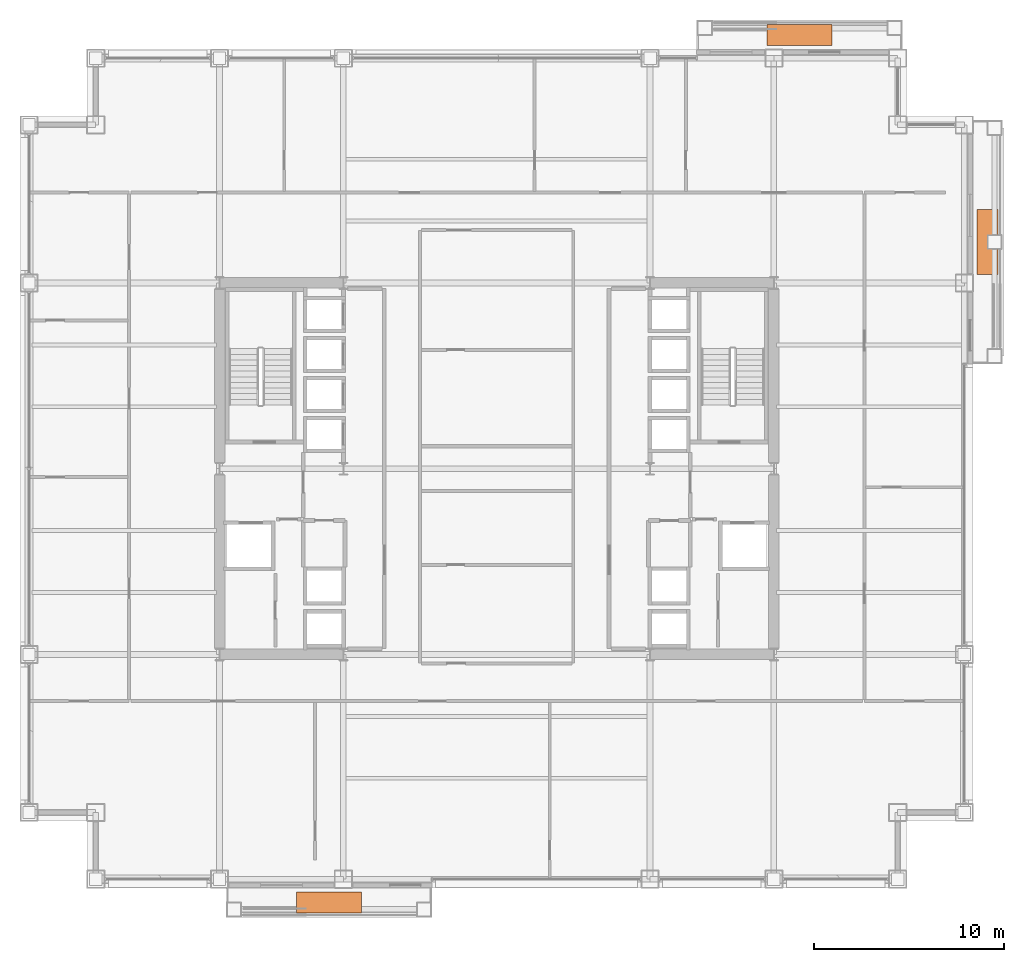
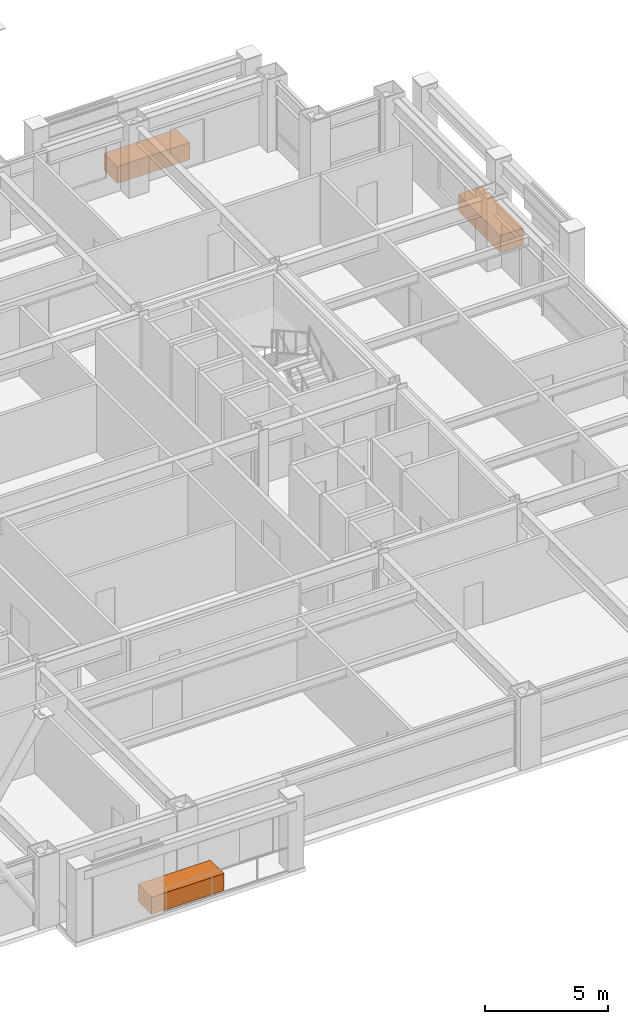
# One storey, part 34 of 34: 3 proxies.
"""IFC4 building model written with IfcOpenShell, lengths in metres."""

import ifcopenshell
import ifcopenshell.guid

model = None  # the IFC model being written
_history = None  # IfcOwnerHistory: only IFC2X3 demands one
_inside = {}  # id of a spatial element -> (the spatial element, [elements in it])
_under = {}  # id of a project, library or spatial element -> (it, [spatial elements below it])
_declared = {}  # id of a project -> (the project, [libraries it declares])
_typed = {}  # id of a type object -> (the type object, [elements of that type])
_made_of = {}  # id of a material, layer set ... -> (it, [elements and type objects made of it])


def new_model(schema):
    """Start an empty IFC model of exactly this schema.

    Asked for "IFC4X3", IfcOpenShell would pick the latest addendum, in which some entities
    have other attributes; the version numbers below select the first issue.
    IFC2X3 requires an IfcOwnerHistory on every rooted entity: one is made here for all.
    """
    global model, _history
    if schema == "IFC4X3":
        model = ifcopenshell.file(schema_version=(4, 3, 0, 0))
    else:
        model = ifcopenshell.file(schema=schema)
    _inside.clear()
    _under.clear()
    _declared.clear()
    _typed.clear()
    _made_of.clear()
    _history = None
    if model.schema == "IFC2X3":
        org = make("IfcOrganization", Name="unknown")
        user = make(
            "IfcPersonAndOrganization",
            ThePerson=make("IfcPerson", FamilyName="unknown"),
            TheOrganization=org,
        )
        app = make(
            "IfcApplication",
            ApplicationDeveloper=org,
            Version="unknown",
            ApplicationFullName="unknown",
            ApplicationIdentifier="unknown",
        )
        _history = make(
            "IfcOwnerHistory",
            OwningUser=user,
            OwningApplication=app,
            ChangeAction="ADDED",
            CreationDate=0,
        )
    return model


def make(cls, **values):
    """One entity of the class cls with the attributes given. An attribute that is None is left unset."""
    return model.create_entity(
        cls, **{name: value for name, value in values.items() if value is not None}
    )


def rooted(cls, **values):
    """An entity with a GlobalId (a new one), such as an element, a storey or a relation."""
    return make(cls, GlobalId=ifcopenshell.guid.new(), OwnerHistory=_history, **values)


def si_unit(unit_type, name, prefix=None):
    """IfcSIUnit, for example si_unit("LENGTHUNIT", "METRE", prefix="MILLI")."""
    return make("IfcSIUnit", UnitType=unit_type, Prefix=prefix, Name=name)


def assignment(units):
    """IfcUnitAssignment: the units of a project."""
    return None if units is None else make("IfcUnitAssignment", Units=units)


def point(xyz):
    """IfcCartesianPoint."""
    return None if xyz is None else make("IfcCartesianPoint", Coordinates=xyz)


def direction(xyz):
    """IfcDirection."""
    return None if xyz is None else make("IfcDirection", DirectionRatios=xyz)


def frame(location, z_axis=None, x_axis=None):
    """IfcAxis2Placement3D, a coordinate frame: its origin and axes. An axis left out is left unset."""
    return make(
        "IfcAxis2Placement3D",
        Location=point(location),
        Axis=direction(z_axis),
        RefDirection=direction(x_axis),
    )


def frame_2d(location, x_axis=None):
    """IfcAxis2Placement2D, a coordinate frame in the plane: its origin and x axis."""
    return make(
        "IfcAxis2Placement2D", Location=point(location), RefDirection=direction(x_axis)
    )


def origin():
    """The frame at (0, 0, 0) with its axes left unset."""
    return frame((0.0, 0.0, 0.0))


def origin_2d():
    """The frame at (0, 0) in the plane with its x axis left unset."""
    return frame_2d((0.0, 0.0))


def place(relative_to, where):
    """IfcLocalPlacement: puts the frame where relative to a parent placement (None: the world)."""
    return make(
        "IfcLocalPlacement", PlacementRelTo=relative_to, RelativePlacement=where
    )


def context(
    kind, dimensions, precision=None, world=None, true_north=None, identifier=None
):
    """IfcGeometricRepresentationContext, for example the 3D "Model" context."""
    return make(
        "IfcGeometricRepresentationContext",
        ContextIdentifier=identifier,
        ContextType=kind,
        CoordinateSpaceDimension=dimensions,
        Precision=precision,
        WorldCoordinateSystem=world,
        TrueNorth=true_north,
    )


def subcontext(parent, identifier, kind, view, scale=None):
    """IfcGeometricRepresentationSubContext, for example "Body" below "Model"."""
    return make(
        "IfcGeometricRepresentationSubContext",
        ContextIdentifier=identifier,
        ContextType=kind,
        ParentContext=parent,
        TargetScale=scale,
        TargetView=view,
    )


def project(units=None, contexts=None):
    """IfcProject with its units and contexts."""
    return rooted(
        "IfcProject",
        Name="project",
        RepresentationContexts=contexts,
        UnitsInContext=assignment(units),
    )


def spatial(cls, under=None, at=None, **own):
    """A site, building, storey or space (cls), placed at a placement, below another one or the project."""
    s = rooted(cls, ObjectPlacement=at, **own)
    if under is not None:
        _under.setdefault(under.id(), (under, []))[1].append(s)
    return s


def profile(cls, at=None, kind="AREA", **sizes):
    """A parametric profile (cls). Its sizes go by their IFC names, for example OverallWidth=200.0."""
    return make(cls, ProfileType=kind, Position=at, **sizes)


def rectangle(**sizes):
    """IfcRectangleProfileDef."""
    return profile("IfcRectangleProfileDef", **sizes)


def extrude(swept, where, along, depth):
    """IfcExtrudedAreaSolid: the profile swept, set in the frame where, extruded along a direction by depth."""
    return make(
        "IfcExtrudedAreaSolid",
        SweptArea=swept,
        Position=where,
        ExtrudedDirection=direction(along),
        Depth=depth,
    )


def shape(context_of_items, identifier, shape_type, items):
    """IfcShapeRepresentation: the items that make up one representation, for example the "Body"."""
    return make(
        "IfcShapeRepresentation",
        ContextOfItems=context_of_items,
        RepresentationIdentifier=identifier,
        RepresentationType=shape_type,
        Items=items,
    )


def material(Name=None, Category=None):
    """IfcMaterial."""
    return make("IfcMaterial", Name=Name, Category=Category)


def made_of(thing, what):
    """Note that an element or type object is made of a material, layer set ...; save() writes the relation."""
    if what is not None:
        _made_of.setdefault(what.id(), (what, []))[1].append(thing)
    return thing


def type_object(cls, material=None, **own):
    """A type object (cls), such as IfcWallType, which elements share."""
    return made_of(rooted(cls, **own), material)


def element(
    cls,
    number,
    at=None,
    inside=None,
    cuts=None,
    type_object=None,
    material=None,
    context=None,
    identifier="Body",
    shape_type=None,
    held_by="IfcProductDefinitionShape",
    body=None,
    shapes=None,
    **own,
):
    """One element of the class cls, such as IfcWall. Its Tag is "e" and its number.

    at: its placement. inside: the storey or other place that contains it. cuts: it is an
    opening in that element (IfcRelVoidsElement). A single representation is given by context,
    identifier, shape_type and body (its items); several are given by shapes. held_by: the class
    of the entity that holds the representations. save() writes the other relations.
    """
    e = rooted(cls, Tag="e%d" % number, ObjectPlacement=at, **own)
    if body is not None:
        shapes = [shape(context, identifier, shape_type, body)]
    if shapes is not None:
        e.Representation = make(held_by, Representations=shapes)
    if inside is not None:
        _inside.setdefault(inside.id(), (inside, []))[1].append(e)
    if cuts is not None:
        rooted(
            "IfcRelVoidsElement", RelatingBuildingElement=cuts, RelatedOpeningElement=e
        )
    if type_object is not None:
        _typed.setdefault(type_object.id(), (type_object, []))[1].append(e)
    return made_of(e, material)


def aggregate(whole, parts):
    """IfcRelAggregates: a whole, such as a stair, and the parts it consists of."""
    return rooted("IfcRelAggregates", RelatingObject=whole, RelatedObjects=parts)


def save(model, path):
    """Write the relations noted so far, then the file.

    IfcRelAggregates (storeys below a building ...), IfcRelContainedInSpatialStructure (elements
    in a storey), IfcRelDefinesByType, IfcRelAssociatesMaterial and IfcRelDeclares: one each for
    every whole, place, type object, material and project.
    """
    for whole, parts in _under.values():
        aggregate(whole, parts)
    for where, things in _inside.values():
        rooted(
            "IfcRelContainedInSpatialStructure",
            RelatedElements=things,
            RelatingStructure=where,
        )
    for kind, things in _typed.values():
        rooted("IfcRelDefinesByType", RelatedObjects=things, RelatingType=kind)
    for what, things in _made_of.values():
        rooted("IfcRelAssociatesMaterial", RelatedObjects=things, RelatingMaterial=what)
    for by, libraries in _declared.values():
        rooted("IfcRelDeclares", RelatingContext=by, RelatedDefinitions=libraries)
    model.write(path)


model = new_model("IFC4")

# Units and contexts
model_context = context("Model", 3, precision=1e-05, world=origin(), true_north=direction((0.0, 1.0)))
body_context = subcontext(model_context, "Body", "Model", "MODEL_VIEW")
ifc_project = project(units=[si_unit("LENGTHUNIT", "METRE"), si_unit("AREAUNIT", "SQUARE_METRE"), si_unit("VOLUMEUNIT", "CUBIC_METRE"), si_unit("PLANEANGLEUNIT", "RADIAN"), si_unit("MASSUNIT", "GRAM", prefix="KILO")], contexts=[model_context])

# Site, building, storey
site_placement = place(None, origin())
site = spatial("IfcSite", under=ifc_project, at=site_placement, CompositionType="ELEMENT")
building_placement = place(site_placement, origin())
building = spatial("IfcBuilding", under=site, at=building_placement, Name="Brelmoor Portico Tower", CompositionType="ELEMENT")
storey_placement = place(building_placement, frame((0.0, 0.0, 45.60009765625)))
storey = spatial("IfcBuildingStorey", under=building, at=storey_placement, Name="L11", CompositionType="ELEMENT", Elevation=45.60009765625)

# Proxies
ifc_material = material(Name="Architectural Precast Concrete C40", Category="concrete")
building_element_proxy_type = type_object("IfcBuildingElementProxyType", Name="TREE PLANTER", PredefinedType="USERDEFINED", material=ifc_material)
for number, where, z_axis, x_axis, name in (
    (1, (-8.800048828125, -22.77490234375, -0.000244140625), (0.0, 0.0, 1.0), (1.0, 0.0, 0.0), "L11 Planted Tree Planter S"),
    (2, (15.89990234375, 22.77490234375, -0.000244140625), (0.0, 0.0, 1.0), (1.0, 0.0, 0.0), "L11 Planted Tree Planter N"),
    (3, (25.77490234375, 11.89990234375, -0.000244140625), (0.0, 0.0, 1.0), (0.0, 1.0, 0.0), "L11 Planted Tree Planter E"),
):
    element("IfcBuildingElementProxy", number, at=place(storey_placement, frame(where, z_axis=z_axis, x_axis=x_axis)), inside=storey, type_object=building_element_proxy_type, Name=name, ObjectType="PLANTER", PredefinedType="USERDEFINED", context=body_context, shape_type="SweptSolid", body=[
        extrude(rectangle(XDim=3.39990234375, YDim=1.10009765625, at=origin_2d()), origin(), (0.0, 0.0, 1.0), 0.85009765625),
    ])

save(model, "model.ifc")
